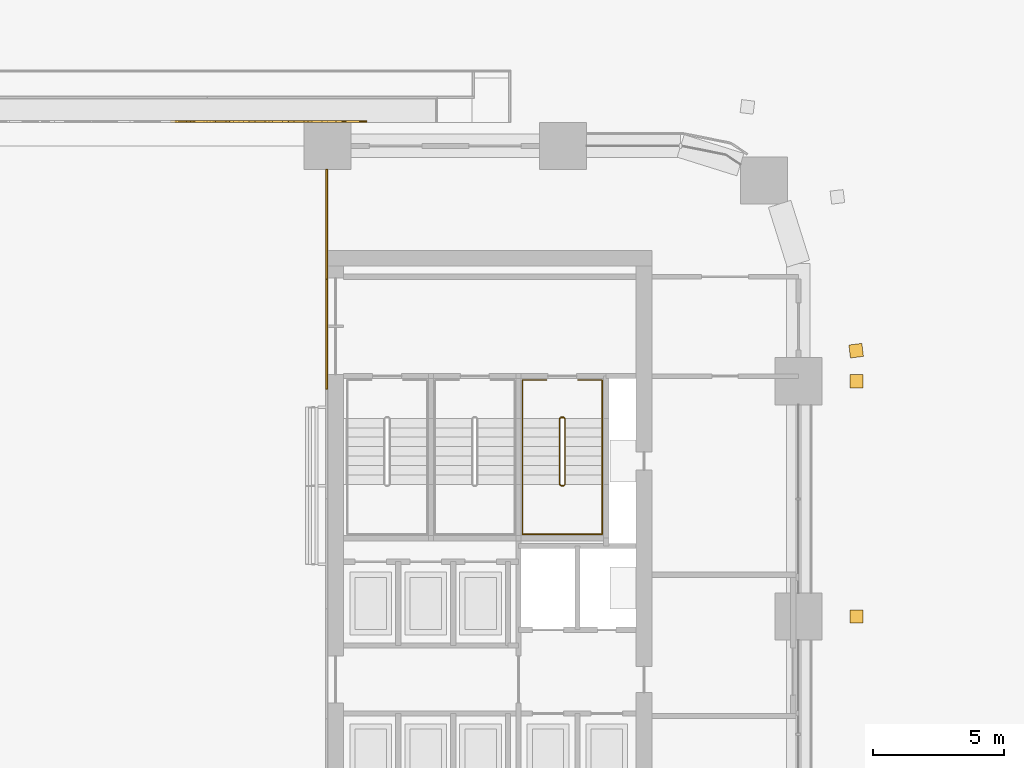
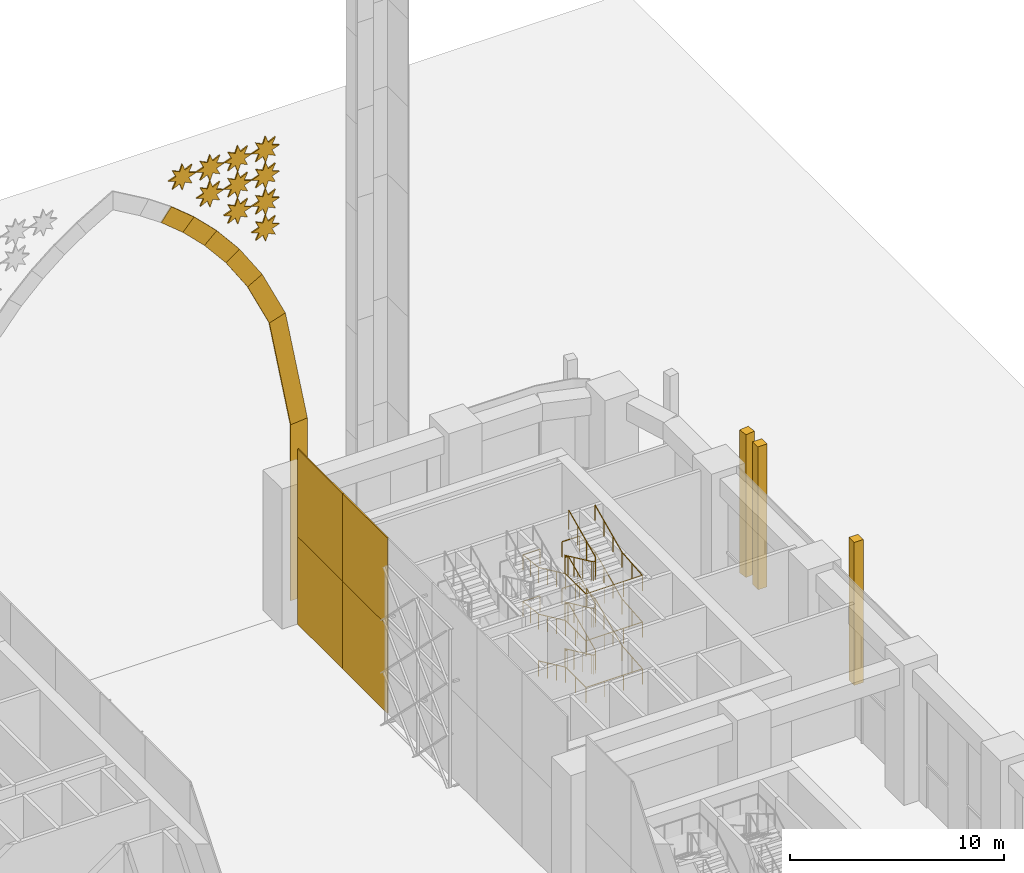
# One storey, part 62 of 64: 24 coverings, 4 railings.
"""IFC4 building model written with IfcOpenShell, lengths in metres."""

from ifc_helpers import new_model, si_unit, direction, frame, origin, origin_2d, place, context, subcontext, project, spatial, polyline, rectangle, circle, outline, extrude, material, layer, layer_set, type_object, element, save


model = new_model("IFC4")

# Units and contexts
model_context = context("Model", 3, precision=1e-05, world=origin(), true_north=direction((0.0, 1.0)))
body_context = subcontext(model_context, "Body", "Model", "MODEL_VIEW")
ifc_project = project(units=[si_unit("LENGTHUNIT", "METRE"), si_unit("AREAUNIT", "SQUARE_METRE"), si_unit("VOLUMEUNIT", "CUBIC_METRE"), si_unit("PLANEANGLEUNIT", "RADIAN"), si_unit("MASSUNIT", "GRAM", prefix="KILO")], contexts=[model_context])

# Site, building, storey
site_placement = place(None, origin())
site = spatial("IfcSite", under=ifc_project, at=site_placement, CompositionType="ELEMENT")
building_placement = place(site_placement, origin())
building = spatial("IfcBuilding", under=site, at=building_placement, Name="Tessera Arch", CompositionType="ELEMENT")
storey_placement = place(building_placement, origin())
storey = spatial("IfcBuildingStorey", under=building, at=storey_placement, Name="L00", CompositionType="ELEMENT", Elevation=0.0)

# Coverings
ifc_material_1 = material(Name="Aluminium cladding pale metal anodised", Category="aluminium")
ifc_layer_1 = layer(ifc_material_1, 0.070068359375)
ifc_layer_set_1 = layer_set([ifc_layer_1], Name="Arch jamb panel")
covering_type_1 = type_object("IfcCoveringType", Name="Arch jamb panel", PredefinedType="CLADDING", material=ifc_layer_set_1)
for number, where, z_axis, x_axis, name in (
    (1, (35.965087890625, 46.800048828125, 0.0), (0.0, 0.0, 1.0), (1.0, 0.0, 0.0), "Arch jamb panel E1-11"),
    (2, (35.965087890625, 51.0, 0.0), (0.0, 0.0, 1.0), (1.0, 0.0, 0.0), "Arch jamb panel E1-12"),
    (3, (35.965087890625, 46.800048828125, 5.0), (0.0, 0.0, 1.0), (1.0, 0.0, 0.0), "Arch jamb panel E2-11"),
    (4, (35.965087890625, 51.0, 5.0), (0.0, 0.0, 1.0), (1.0, 0.0, 0.0), "Arch jamb panel E2-12"),
):
    element("IfcCovering", number, at=place(storey_placement, frame(where, z_axis=z_axis, x_axis=x_axis)), inside=storey, type_object=covering_type_1, Name=name, PredefinedType="CLADDING", context=body_context, shape_type="SweptSolid", body=[
        extrude(rectangle(XDim=0.070068359375, YDim=4.199951171875, at=origin_2d()), origin(), (0.0, 0.0, 1.0), 5.0),
    ])
covering_1_placement = place(storey_placement, frame((29.61279296875, 54.89990234375, 24.041015625), z_axis=(0.0, -1.0, 0.0), x_axis=(0.77114114952, 0.0, -0.636664218813)))
element("IfcCovering", 5, at=covering_1_placement, inside=storey, type_object=covering_type_1, Name="Arch surround panel N12", PredefinedType="CLADDING", context=body_context, shape_type="SweptSolid", body=[
    extrude(outline(polyline([(0.0, 0.0), (1.5104821245764068, 0.0), (1.5506717175454106, 0.9000223986156166), (-0.037522051313754745, 0.8998151511485551), (0.0, 0.0)])), origin(), (0.0, 0.0, -1.0), 0.070068359375),
])
covering_2_placement = place(storey_placement, frame((30.777587890625, 54.89990234375, 23.079345703125), z_axis=(0.0, -1.0, 0.0), x_axis=(0.711266998318, 0.0, -0.702921942398)))
element("IfcCovering", 6, at=covering_2_placement, inside=storey, type_object=covering_type_1, Name="Arch surround panel N13", PredefinedType="CLADDING", context=body_context, shape_type="SweptSolid", body=[
    extrude(outline(polyline([(0.0, 0.0), (1.6383203577295518, 0.0), (1.6826462637559374, 0.8998651311342891), (-0.040265069445096, 0.9000190251185827), (0.0, 0.0)])), origin(), (0.0, 0.0, -1.0), 0.070068359375),
])
covering_3_placement = place(storey_placement, frame((31.94287109375, 54.89990234375, 21.927734375), z_axis=(0.0, -1.0, 0.0), x_axis=(0.638709039089, 0.0, -0.769448350044)))
element("IfcCovering", 7, at=covering_3_placement, inside=storey, type_object=covering_type_1, Name="Arch surround panel N14", PredefinedType="CLADDING", context=body_context, shape_type="SweptSolid", body=[
    extrude(outline(polyline([(0.0, 0.0), (1.8244351211735683, 0.0), (1.8750669592370113, 0.90001428029348), (-0.0443641598360755, 0.8998632459982077), (0.0, 0.0)])), origin(), (0.0, 0.0, -1.0), 0.070068359375),
])
covering_4_placement = place(storey_placement, frame((33.108154296875, 54.89990234375, 20.52392578125), z_axis=(0.0, -1.0, 0.0), x_axis=(0.548616303772, 0.0, -0.836074249834)))
element("IfcCovering", 8, at=covering_4_placement, inside=storey, type_object=covering_type_1, Name="Arch surround panel N15", PredefinedType="CLADDING", context=body_context, shape_type="SweptSolid", body=[
    extrude(outline(polyline([(0.0, 0.0), (2.125820464333652, 0.0), (2.187578923317762, 0.9000340050895053), (-0.05037626281442842, 0.9000286217130682), (0.0, 0.0)])), origin(), (0.0, 0.0, -1.0), 0.070068359375),
])
covering_5_placement = place(storey_placement, frame((34.2744140625, 54.89990234375, 18.74658203125), z_axis=(0.0, -1.0, 0.0), x_axis=(0.428717371421, 0.0, -0.903438661693)))
element("IfcCovering", 9, at=covering_5_placement, inside=storey, type_object=covering_type_1, Name="Arch surround panel N16", PredefinedType="CLADDING", context=body_context, shape_type="SweptSolid", body=[
    extrude(outline(polyline([(0.0, 0.0), (2.743694586835131, 0.0), (2.8613547614145913, 0.8999863126673906), (-0.062311709711715846, 0.8999958713273912), (0.0, 0.0)])), origin(), (0.0, 0.0, -1.0), 0.070068359375),
])
covering_6_placement = place(storey_placement, frame((35.45068359375, 54.89990234375, 16.267822265625), z_axis=(0.0, -1.0, 0.0), x_axis=(0.18191768298, 0.0, -0.983313763058)))
element("IfcCovering", 10, at=covering_6_placement, inside=storey, type_object=covering_type_1, Name="Arch surround panel N17", PredefinedType="CLADDING", context=body_context, shape_type="SweptSolid", body=[
    extrude(outline(polyline([(0.0, 0.0), (6.318319602970845, 0.0), (6.4006450946182785, 0.8999425354398936), (-0.11778598974629848, 0.8999698552119401), (0.0, 0.0)])), origin(), (0.0, 0.0, -1.0), 0.070068359375),
])
covering_7_placement = place(storey_placement, frame((36.60009765625, 54.89990234375, 10.054931640625), z_axis=(0.0, -1.0, 0.0), x_axis=(0.0, 0.0, -1.0)))
element("IfcCovering", 11, at=covering_7_placement, inside=storey, type_object=covering_type_1, Name="Arch surround panel N18", PredefinedType="CLADDING", context=body_context, shape_type="SweptSolid", body=[
    extrude(outline(polyline([(0.0, 0.0), (10.054931640625, 0.0), (10.054931640625, 0.89990234375), (-0.082763671875, 0.89990234375), (0.0, 0.0)])), origin(), (0.0, 0.0, -1.0), 0.070068359375),
])
for number, where, z_axis, x_axis, name in (
    (12, (36.0, 54.89990234375, 21.75), (0.0, -1.0, 0.0), (-0.942166703865, 0.0, 0.335144598834), "Gate lattice star N2"),
    (13, (34.5, 54.89990234375, 23.25), (0.0, -1.0, 0.0), (-0.942166703865, 0.0, 0.335144598834), "Gate lattice star N5"),
    (14, (36.0, 54.89990234375, 23.25), (0.0, -1.0, 0.0), (-0.942166703865, 0.0, 0.335144598834), "Gate lattice star N6"),
    (15, (33.0, 54.89990234375, 24.75), (0.0, -1.0, 0.0), (-0.942166703865, 0.0, 0.335144598834), "Gate lattice star N10"),
    (16, (34.5, 54.89990234375, 24.75), (0.0, -1.0, 0.0), (-0.942166703865, 0.0, 0.335144598834), "Gate lattice star N11"),
    (17, (36.0, 54.89990234375, 24.75), (0.0, -1.0, 0.0), (-0.942166703865, 0.0, 0.335144598834), "Gate lattice star N12"),
    (18, (31.5, 54.89990234375, 26.25), (0.0, -1.0, 0.0), (-0.942166703865, 0.0, 0.335144598834), "Gate lattice star N17"),
    (19, (33.0, 54.89990234375, 26.25), (0.0, -1.0, 0.0), (-0.942166703865, 0.0, 0.335144598834), "Gate lattice star N18"),
    (20, (34.5, 54.89990234375, 26.25), (0.0, -1.0, 0.0), (-0.942166703865, 0.0, 0.335144598834), "Gate lattice star N19"),
    (21, (36.0, 54.89990234375, 26.25), (0.0, -1.0, 0.0), (-0.942166703865, 0.0, 0.335144598834), "Gate lattice star N20"),
):
    element("IfcCovering", number, at=place(storey_placement, frame(where, z_axis=z_axis, x_axis=x_axis)), inside=storey, type_object=covering_type_1, Name=name, PredefinedType="CLADDING", context=body_context, shape_type="SweptSolid", body=[
        extrude(outline(polyline([(0.0, 0.0), (0.42833656875090986, 0.0), (0.3847373296255874, -0.42596580611441676), (0.6874785835319573, -0.12315316632834256), (0.9579834770245221, -0.45526657877336735), (0.9579834770245222, -0.02693001002245743), (1.383949283138939, -0.07052924914777992), (1.0811366433528649, 0.2322120047585901), (1.4132500557978895, 0.5027168982511548), (0.9849134870469797, 0.502716898251155), (1.0285127261723022, 0.9286827043655717), (0.7257714722659322, 0.6258700645794975), (0.45526657877336735, 0.9579834770245221), (0.4552665787733673, 0.5296469082736124), (0.029300772658950563, 0.5732461473989348), (0.3321134124450248, 0.2705048934925648), (0.0, 0.0)])), origin(), (0.0, 0.0, -1.0), 0.070068359375),
    ])
ifc_material_2 = material(Name="Anodised aluminium pale metal", Category="aluminium")
ifc_layer_2 = layer(ifc_material_2, 0.5)
ifc_layer_set_2 = layer_set([ifc_layer_2], Name="Base plinth pier pale metal")
covering_type_2 = type_object("IfcCoveringType", Name="Base plinth pier pale metal", PredefinedType="CLADDING", material=ifc_layer_set_2)
for number, where, z_axis, x_axis, name in (
    (22, (56.22509765625, 36.0, 0.0), (0.0, 0.0, 1.0), (0.0, 1.0, 0.0), "Base plinth pier 5"),
    (23, (56.22509765625, 45.0, 0.0), (0.0, 0.0, 1.0), (0.0, 1.0, 0.0), "Base plinth pier 6"),
    (24, (56.208740234375, 46.169189453125, 0.0), (0.0, 0.0, 1.0), (-0.120951161885, 0.992658459108, 0.0), "Base plinth pier 7"),
):
    element("IfcCovering", number, at=place(storey_placement, frame(where, z_axis=z_axis, x_axis=x_axis)), inside=storey, type_object=covering_type_2, Name=name, PredefinedType="CLADDING", context=body_context, shape_type="SweptSolid", body=[
        extrude(rectangle(XDim=0.5, YDim=0.5, at=origin_2d()), origin(), (0.0, 0.0, 1.0), 8.159912109375),
    ])

# Railings
ifc_material_3 = material(Name="Painted steel balustrade", Category="steel")
railing_type_1 = type_object("IfcRailingType", Name="Stair guard 1100", PredefinedType="GUARDRAIL", material=ifc_material_3)
railing_1_placement = place(storey_placement, frame((44.919921875, 43.6298828125, 0.0)))
element("IfcRailing", 25, at=railing_1_placement, inside=storey, type_object=railing_type_1, Name="L00 S1c stair guard 1", PredefinedType="GUARDRAIL", context=body_context, shape_type="SweptSolid", body=[
    extrude(circle(Radius=0.02392578125, at=origin_2d()), frame((-0.00390625, 0.0, 1.076171875), z_axis=(1.0, 0.0, 0.0), x_axis=(0.0, 1.0, 0.0)), (0.0, 0.0, 1.0), 0.1181640625),
    extrude(circle(Radius=0.02392578125, at=origin_2d()), frame((0.11279296875, 0.000732421875, 1.0732421875), z_axis=(-0.676614622933, -0.210731882562, 0.705538606814), x_axis=(0.297361876254, -0.954764847777, 0.0)), (0.0, 0.0, 1.0), 0.244384765625),
    extrude(circle(Radius=0.02392578125, at=origin_2d()), frame((-0.0498046875, -0.046142578125, 1.2412109375), z_axis=(0.0, -0.907490492863, 0.420072619153), x_axis=(1.0, 0.0, 0.0)), (0.0, 0.0, 1.0), 2.784912109375),
    extrude(circle(Radius=0.02392578125, at=origin_2d()), frame((-0.052734375, -2.56689453125, 2.4091796875), z_axis=(0.705375805398, -0.708833529934, 0.0), x_axis=(0.708833529934, 0.705375805398, 0.0)), (0.0, 0.0, 1.0), 0.07861328125),
    extrude(circle(Radius=0.02392578125, at=origin_2d()), frame((-0.00390625, -2.619873046875, 2.4091796875), z_axis=(1.0, 0.0, 0.0), x_axis=(0.0, 1.0, 0.0)), (0.0, 0.0, 1.0), 0.1181640625),
    extrude(circle(Radius=0.02392578125, at=origin_2d()), frame((0.10888671875, -2.62109375, 2.405517578125), z_axis=(0.27628659633, 0.27628659633, 0.920506074601), x_axis=(-0.707106781187, 0.707106781187, 0.0)), (0.0, 0.0, 1.0), 0.189208984375),
    extrude(circle(Radius=0.02392578125, at=origin_2d()), frame((0.16015625, -2.573486328125, 2.574462890625), z_axis=(0.0, 0.907456975791, 0.420145019115), x_axis=(-1.0, 0.0, 0.0)), (0.0, 0.0, 1.0), 2.784912109375),
    extrude(circle(Radius=0.02392578125, at=origin_2d()), frame((0.1640625, -0.051025390625, 3.74267578125), z_axis=(-0.954893471113, 0.296948579431, 0.0), x_axis=(-0.296948579431, -0.954893471113, 0.0)), (0.0, 0.0, 1.0), 0.17578125),
    extrude(circle(Radius=0.02392578125, at=origin_2d()), frame((-0.00390625, 0.0, 3.74267578125), z_axis=(1.0, 0.0, 0.0), x_axis=(0.0, 1.0, 0.0)), (0.0, 0.0, 1.0), 0.1181640625),
    extrude(circle(Radius=0.02392578125, at=origin_2d()), frame((0.11279296875, 0.000732421875, 3.739990234375), z_axis=(-0.67710793183, -0.210885523807, 0.705019251157), x_axis=(0.297361876254, -0.954764847777, 0.0)), (0.0, 0.0, 1.0), 0.244140625),
    extrude(circle(Radius=0.02392578125, at=origin_2d()), frame((-0.0498046875, -0.046142578125, 3.90771484375), z_axis=(0.0, -0.907456975791, 0.420145019115), x_axis=(1.0, 0.0, 0.0)), (0.0, 0.0, 1.0), 2.784912109375),
    extrude(circle(Radius=0.02392578125, at=origin_2d()), frame((-0.052734375, -2.56689453125, 5.076171875), z_axis=(0.705375805398, -0.708833529934, 0.0), x_axis=(0.708833529934, 0.705375805398, 0.0)), (0.0, 0.0, 1.0), 0.07861328125),
    extrude(circle(Radius=0.02392578125, at=origin_2d()), frame((-0.00390625, -2.619873046875, 5.076171875), z_axis=(1.0, 0.0, 0.0), x_axis=(0.0, 1.0, 0.0)), (0.0, 0.0, 1.0), 0.1181640625),
    extrude(circle(Radius=0.02392578125, at=origin_2d()), frame((0.10888671875, -2.62109375, 5.072265625), z_axis=(0.27628659633, 0.27628659633, 0.920506074601), x_axis=(-0.707106781187, 0.707106781187, 0.0)), (0.0, 0.0, 1.0), 0.189208984375),
    extrude(circle(Radius=0.02392578125, at=origin_2d()), frame((0.16015625, -2.573486328125, 5.2412109375), z_axis=(0.0, 0.907490492863, 0.420072619153), x_axis=(-1.0, 0.0, 0.0)), (0.0, 0.0, 1.0), 2.784912109375),
    extrude(circle(Radius=0.02392578125, at=origin_2d()), frame((0.1640625, -0.051025390625, 6.4091796875), z_axis=(-0.954893471113, 0.296948579431, 0.0), x_axis=(-0.296948579431, -0.954893471113, 0.0)), (0.0, 0.0, 1.0), 0.17578125),
    extrude(circle(Radius=0.02392578125, at=origin_2d()), frame((-0.00390625, 0.0, 6.4091796875), z_axis=(1.0, 0.0, 0.0), x_axis=(0.0, 1.0, 0.0)), (0.0, 0.0, 1.0), 0.1181640625),
    extrude(circle(Radius=0.02392578125, at=origin_2d()), frame((0.11279296875, 0.000732421875, 6.406494140625), z_axis=(-0.676614622933, -0.210731882562, 0.705538606814), x_axis=(0.297361876254, -0.954764847777, 0.0)), (0.0, 0.0, 1.0), 0.244384765625),
    extrude(circle(Radius=0.02392578125, at=origin_2d()), frame((-0.0498046875, -0.046142578125, 6.574462890625), z_axis=(0.0, -0.907456975791, 0.420145019115), x_axis=(1.0, 0.0, 0.0)), (0.0, 0.0, 1.0), 2.784912109375),
    extrude(circle(Radius=0.02392578125, at=origin_2d()), frame((-0.052734375, -2.56689453125, 7.74267578125), z_axis=(0.705375805398, -0.708833529934, 0.0), x_axis=(0.708833529934, 0.705375805398, 0.0)), (0.0, 0.0, 1.0), 0.07861328125),
    extrude(circle(Radius=0.02392578125, at=origin_2d()), frame((-0.00390625, -2.619873046875, 7.74267578125), z_axis=(1.0, 0.0, 0.0), x_axis=(0.0, 1.0, 0.0)), (0.0, 0.0, 1.0), 0.1181640625),
    extrude(circle(Radius=0.02392578125, at=origin_2d()), frame((0.10888671875, -2.62109375, 7.739013671875), z_axis=(0.27662974545, 0.27662974545, 0.920299933644), x_axis=(-0.707106781187, 0.707106781187, 0.0)), (0.0, 0.0, 1.0), 0.18896484375),
    extrude(circle(Radius=0.02392578125, at=origin_2d()), frame((0.16015625, -2.573486328125, 7.90771484375), z_axis=(0.0, 0.907456975791, 0.420145019115), x_axis=(-1.0, 0.0, 0.0)), (0.0, 0.0, 1.0), 2.784912109375),
    extrude(circle(Radius=0.02099609375, at=origin_2d()), origin(), (0.0, 0.0, 1.0), 1.06396484375),
    extrude(circle(Radius=0.02099609375, at=origin_2d()), frame((0.110107421875, 0.0, 0.0)), (0.0, 0.0, 1.0), 1.06396484375),
    extrude(circle(Radius=0.02099609375, at=origin_2d()), frame((-0.0498046875, -0.0498046875, 0.166748046875)), (0.0, 0.0, 1.0), 1.06396484375),
    extrude(circle(Radius=0.02099609375, at=origin_2d()), frame((-0.0498046875, -0.889892578125, 0.5556640625)), (0.0, 0.0, 1.0), 1.06396484375),
    extrude(circle(Radius=0.02099609375, at=origin_2d()), frame((-0.0498046875, -1.729736328125, 0.9443359375)), (0.0, 0.0, 1.0), 1.06396484375),
    extrude(circle(Radius=0.02099609375, at=origin_2d()), frame((-0.0498046875, -2.56982421875, 1.333251953125)), (0.0, 0.0, 1.0), 1.06396484375),
    extrude(circle(Radius=0.02099609375, at=origin_2d()), frame((0.0, -2.619873046875, 1.333251953125)), (0.0, 0.0, 1.0), 1.06396484375),
    extrude(circle(Radius=0.02099609375, at=origin_2d()), frame((0.110107421875, -2.619873046875, 1.333251953125)), (0.0, 0.0, 1.0), 1.06396484375),
    extrude(circle(Radius=0.02099609375, at=origin_2d()), frame((0.16015625, -2.56982421875, 1.5)), (0.0, 0.0, 1.0), 1.06396484375),
    extrude(circle(Radius=0.02099609375, at=origin_2d()), frame((0.16015625, -1.729736328125, 1.888916015625)), (0.0, 0.0, 1.0), 1.06396484375),
    extrude(circle(Radius=0.02099609375, at=origin_2d()), frame((0.16015625, -0.889892578125, 2.27783203125)), (0.0, 0.0, 1.0), 1.06396484375),
    extrude(circle(Radius=0.02099609375, at=origin_2d()), frame((0.16015625, -0.0498046875, 2.666748046875)), (0.0, 0.0, 1.0), 1.06396484375),
    extrude(circle(Radius=0.02099609375, at=origin_2d()), frame((0.0, 0.0, 2.666748046875)), (0.0, 0.0, 1.0), 1.06396484375),
    extrude(circle(Radius=0.02099609375, at=origin_2d()), frame((0.110107421875, 0.0, 2.666748046875)), (0.0, 0.0, 1.0), 1.06396484375),
    extrude(circle(Radius=0.02099609375, at=origin_2d()), frame((-0.0498046875, -0.0498046875, 2.833251953125)), (0.0, 0.0, 1.0), 1.06396484375),
    extrude(circle(Radius=0.02099609375, at=origin_2d()), frame((-0.0498046875, -0.889892578125, 3.22216796875)), (0.0, 0.0, 1.0), 1.06396484375),
    extrude(circle(Radius=0.02099609375, at=origin_2d()), frame((-0.0498046875, -1.729736328125, 3.611083984375)), (0.0, 0.0, 1.0), 1.06396484375),
    extrude(circle(Radius=0.02099609375, at=origin_2d()), frame((-0.0498046875, -2.56982421875, 4.0)), (0.0, 0.0, 1.0), 1.06396484375),
    extrude(circle(Radius=0.02099609375, at=origin_2d()), frame((0.0, -2.619873046875, 4.0)), (0.0, 0.0, 1.0), 1.06396484375),
    extrude(circle(Radius=0.02099609375, at=origin_2d()), frame((0.110107421875, -2.619873046875, 4.0)), (0.0, 0.0, 1.0), 1.06396484375),
    extrude(circle(Radius=0.02099609375, at=origin_2d()), frame((0.16015625, -2.56982421875, 4.166748046875)), (0.0, 0.0, 1.0), 1.06396484375),
    extrude(circle(Radius=0.02099609375, at=origin_2d()), frame((0.16015625, -1.729736328125, 4.5556640625)), (0.0, 0.0, 1.0), 1.06396484375),
    extrude(circle(Radius=0.02099609375, at=origin_2d()), frame((0.16015625, -0.889892578125, 4.9443359375)), (0.0, 0.0, 1.0), 1.06396484375),
    extrude(circle(Radius=0.02099609375, at=origin_2d()), frame((0.16015625, -0.0498046875, 5.333251953125)), (0.0, 0.0, 1.0), 1.06396484375),
    extrude(circle(Radius=0.02099609375, at=origin_2d()), frame((0.0, 0.0, 5.333251953125)), (0.0, 0.0, 1.0), 1.06396484375),
    extrude(circle(Radius=0.02099609375, at=origin_2d()), frame((0.110107421875, 0.0, 5.333251953125)), (0.0, 0.0, 1.0), 1.06396484375),
    extrude(circle(Radius=0.02099609375, at=origin_2d()), frame((-0.0498046875, -0.0498046875, 5.5)), (0.0, 0.0, 1.0), 1.06396484375),
    extrude(circle(Radius=0.02099609375, at=origin_2d()), frame((-0.0498046875, -0.889892578125, 5.888916015625)), (0.0, 0.0, 1.0), 1.06396484375),
    extrude(circle(Radius=0.02099609375, at=origin_2d()), frame((-0.0498046875, -1.729736328125, 6.27783203125)), (0.0, 0.0, 1.0), 1.06396484375),
    extrude(circle(Radius=0.02099609375, at=origin_2d()), frame((-0.0498046875, -2.56982421875, 6.666748046875)), (0.0, 0.0, 1.0), 1.06396484375),
    extrude(circle(Radius=0.02099609375, at=origin_2d()), frame((0.0, -2.619873046875, 6.666748046875)), (0.0, 0.0, 1.0), 1.06396484375),
    extrude(circle(Radius=0.02099609375, at=origin_2d()), frame((0.110107421875, -2.619873046875, 6.666748046875)), (0.0, 0.0, 1.0), 1.06396484375),
    extrude(circle(Radius=0.02099609375, at=origin_2d()), frame((0.16015625, -2.56982421875, 6.833251953125)), (0.0, 0.0, 1.0), 1.06396484375),
    extrude(circle(Radius=0.02099609375, at=origin_2d()), frame((0.16015625, -1.729736328125, 7.22216796875)), (0.0, 0.0, 1.0), 1.06396484375),
    extrude(circle(Radius=0.02099609375, at=origin_2d()), frame((0.16015625, -0.889892578125, 7.611083984375)), (0.0, 0.0, 1.0), 1.06396484375),
    extrude(circle(Radius=0.02099609375, at=origin_2d()), frame((0.16015625, -0.0498046875, 8.0)), (0.0, 0.0, 1.0), 1.06396484375),
])
ifc_material_4 = material(Name="Painted steel handrail", Category="steel")
railing_type_2 = type_object("IfcRailingType", Name="Stair handrail 900", PredefinedType="HANDRAIL", material=ifc_material_4)
railing_2_placement = place(storey_placement, frame((43.449951171875, 43.580078125, 0.166748046875)))
element("IfcRailing", 26, at=railing_2_placement, inside=storey, type_object=railing_type_2, Name="L00 S1c stair handrail", PredefinedType="HANDRAIL", context=body_context, shape_type="SweptSolid", body=[
    extrude(circle(Radius=0.02392578125, at=origin_2d()), frame((0.0, 0.003662109375, 0.874267578125), z_axis=(0.0, -0.907490492863, 0.420072619153), x_axis=(1.0, 0.0, 0.0)), (0.0, 0.0, 1.0), 2.784912109375),
    extrude(circle(Radius=0.02392578125, at=origin_2d()), frame((0.0, -2.51611328125, 2.04248046875), z_axis=(0.0, -1.0, 0.0), x_axis=(1.0, 0.0, 0.0)), (0.0, 0.0, 1.0), 1.918212890625),
    extrude(circle(Radius=0.02392578125, at=origin_2d()), frame((-0.00390625, -4.43017578125, 2.04248046875), z_axis=(1.0, 0.0, 0.0), x_axis=(0.0, 1.0, 0.0)), (0.0, 0.0, 1.0), 3.05810546875),
    extrude(circle(Radius=0.02392578125, at=origin_2d()), frame((3.050048828125, -4.43408203125, 2.0419921875), z_axis=(0.0, 0.996211387406, 0.086964772188), x_axis=(-1.0, 0.0, 0.0)), (0.0, 0.0, 1.0), 1.925537109375),
    extrude(circle(Radius=0.02392578125, at=origin_2d()), frame((3.050048828125, -2.523681640625, 2.20751953125), z_axis=(0.0, 0.907456975791, 0.420145019115), x_axis=(-1.0, 0.0, 0.0)), (0.0, 0.0, 1.0), 2.784912109375),
    extrude(circle(Radius=0.02392578125, at=origin_2d()), frame((3.050048828125, -0.00390625, 3.3759765625), z_axis=(0.0, 1.0, 0.0), x_axis=(-1.0, 0.0, 0.0)), (0.0, 0.0, 1.0), 1.47802734375),
    extrude(circle(Radius=0.02392578125, at=origin_2d()), frame((3.053955078125, 1.469970703125, 3.3759765625), z_axis=(-1.0, 0.0, 0.0), x_axis=(0.0, -1.0, 0.0)), (0.0, 0.0, 1.0), 0.93310546875),
    extrude(circle(Radius=0.02099609375, at=origin_2d()), origin(), (0.0, 0.0, 1.0), 0.86376953125),
    extrude(circle(Radius=0.02099609375, at=origin_2d()), frame((0.0, -0.840087890625, 0.388916015625)), (0.0, 0.0, 1.0), 0.86376953125),
    extrude(circle(Radius=0.02099609375, at=origin_2d()), frame((0.0, -1.679931640625, 0.777587890625)), (0.0, 0.0, 1.0), 0.86376953125),
    extrude(circle(Radius=0.02099609375, at=origin_2d()), frame((0.0, -2.52001953125, 1.16650390625)), (0.0, 0.0, 1.0), 0.86376953125),
    extrude(circle(Radius=0.02099609375, at=origin_2d()), frame((0.0, -3.47509765625, 1.16650390625)), (0.0, 0.0, 1.0), 0.86376953125),
    extrude(circle(Radius=0.02099609375, at=origin_2d()), frame((0.0, -4.43017578125, 1.16650390625)), (0.0, 0.0, 1.0), 0.86376953125),
    extrude(circle(Radius=0.02099609375, at=origin_2d()), frame((1.0166015625, -4.43017578125, 1.16650390625)), (0.0, 0.0, 1.0), 0.86376953125),
    extrude(circle(Radius=0.02099609375, at=origin_2d()), frame((2.033447265625, -4.43017578125, 1.16650390625)), (0.0, 0.0, 1.0), 0.86376953125),
    extrude(circle(Radius=0.02099609375, at=origin_2d()), frame((3.050048828125, -4.43017578125, 1.16650390625)), (0.0, 0.0, 1.0), 0.86376953125),
    extrude(circle(Radius=0.02099609375, at=origin_2d()), frame((3.050048828125, -3.47509765625, 1.25)), (0.0, 0.0, 1.0), 0.86376953125),
    extrude(circle(Radius=0.02099609375, at=origin_2d()), frame((3.050048828125, -2.52001953125, 1.333251953125)), (0.0, 0.0, 1.0), 0.86376953125),
    extrude(circle(Radius=0.02099609375, at=origin_2d()), frame((3.050048828125, -1.679931640625, 1.72216796875)), (0.0, 0.0, 1.0), 0.86376953125),
    extrude(circle(Radius=0.02099609375, at=origin_2d()), frame((3.050048828125, -0.840087890625, 2.111083984375)), (0.0, 0.0, 1.0), 0.86376953125),
    extrude(circle(Radius=0.02099609375, at=origin_2d()), frame((3.050048828125, 0.0, 2.5)), (0.0, 0.0, 1.0), 0.86376953125),
    extrude(circle(Radius=0.02099609375, at=origin_2d()), frame((3.050048828125, 0.73486328125, 2.5)), (0.0, 0.0, 1.0), 0.86376953125),
    extrude(circle(Radius=0.02099609375, at=origin_2d()), frame((3.050048828125, 1.469970703125, 2.5)), (0.0, 0.0, 1.0), 0.86376953125),
    extrude(circle(Radius=0.02099609375, at=origin_2d()), frame((2.125, 1.469970703125, 2.5)), (0.0, 0.0, 1.0), 0.86376953125),
])
railing_3_placement = place(storey_placement, frame((44.375, 45.050048828125, 2.666748046875)))
element("IfcRailing", 27, at=railing_3_placement, inside=storey, type_object=railing_type_2, Name="L00 S1c stair handrail 2", PredefinedType="HANDRAIL", context=body_context, shape_type="SweptSolid", body=[
    extrude(circle(Radius=0.02392578125, at=origin_2d()), frame((0.00390625, 0.0, 0.8759765625), z_axis=(-1.0, 0.0, 0.0), x_axis=(0.0, -1.0, 0.0)), (0.0, 0.0, 1.0), 0.93310546875),
    extrude(circle(Radius=0.02392578125, at=origin_2d()), frame((-0.925048828125, 0.00390625, 0.87548828125), z_axis=(0.0, -0.993646005566, 0.11255050254), x_axis=(1.0, 0.0, 0.0)), (0.0, 0.0, 1.0), 1.4873046875),
    extrude(circle(Radius=0.02392578125, at=origin_2d()), frame((-0.925048828125, -1.46630859375, 1.040771484375), z_axis=(0.0, -0.907456975791, 0.420145019115), x_axis=(1.0, 0.0, 0.0)), (0.0, 0.0, 1.0), 2.784912109375),
    extrude(circle(Radius=0.02392578125, at=origin_2d()), frame((-0.925048828125, -3.986083984375, 2.208984375), z_axis=(0.0, -1.0, 0.0), x_axis=(1.0, 0.0, 0.0)), (0.0, 0.0, 1.0), 1.918212890625),
    extrude(circle(Radius=0.02392578125, at=origin_2d()), frame((-0.928955078125, -5.900146484375, 2.208984375), z_axis=(1.0, 0.0, 0.0), x_axis=(0.0, 1.0, 0.0)), (0.0, 0.0, 1.0), 3.05810546875),
    extrude(circle(Radius=0.02392578125, at=origin_2d()), frame((2.125, -5.904052734375, 2.208740234375), z_axis=(0.0, 0.996211387406, 0.086964772188), x_axis=(-1.0, 0.0, 0.0)), (0.0, 0.0, 1.0), 1.925537109375),
    extrude(circle(Radius=0.02392578125, at=origin_2d()), frame((2.125, -3.99365234375, 2.374267578125), z_axis=(0.0, 0.907490492863, 0.420072619153), x_axis=(-1.0, 0.0, 0.0)), (0.0, 0.0, 1.0), 2.784912109375),
    extrude(circle(Radius=0.02392578125, at=origin_2d()), frame((2.125, -1.473876953125, 3.54248046875), z_axis=(0.0, 1.0, 0.0), x_axis=(-1.0, 0.0, 0.0)), (0.0, 0.0, 1.0), 1.47802734375),
    extrude(circle(Radius=0.02392578125, at=origin_2d()), frame((2.12890625, 0.0, 3.54248046875), z_axis=(-1.0, 0.0, 0.0), x_axis=(0.0, -1.0, 0.0)), (0.0, 0.0, 1.0), 0.93310546875),
    extrude(circle(Radius=0.02099609375, at=origin_2d()), origin(), (0.0, 0.0, 1.0), 0.86376953125),
    extrude(circle(Radius=0.02099609375, at=origin_2d()), frame((-0.925048828125, 0.0, 0.0)), (0.0, 0.0, 1.0), 0.86376953125),
    extrude(circle(Radius=0.02099609375, at=origin_2d()), frame((-0.925048828125, -0.73486328125, 0.083251953125)), (0.0, 0.0, 1.0), 0.86376953125),
    extrude(circle(Radius=0.02099609375, at=origin_2d()), frame((-0.925048828125, -1.469970703125, 0.16650390625)), (0.0, 0.0, 1.0), 0.86376953125),
    extrude(circle(Radius=0.02099609375, at=origin_2d()), frame((-0.925048828125, -2.31005859375, 0.555419921875)), (0.0, 0.0, 1.0), 0.86376953125),
    extrude(circle(Radius=0.02099609375, at=origin_2d()), frame((-0.925048828125, -3.14990234375, 0.9443359375)), (0.0, 0.0, 1.0), 0.86376953125),
    extrude(circle(Radius=0.02099609375, at=origin_2d()), frame((-0.925048828125, -3.989990234375, 1.333251953125)), (0.0, 0.0, 1.0), 0.86376953125),
    extrude(circle(Radius=0.02099609375, at=origin_2d()), frame((-0.925048828125, -4.945068359375, 1.333251953125)), (0.0, 0.0, 1.0), 0.86376953125),
    extrude(circle(Radius=0.02099609375, at=origin_2d()), frame((-0.925048828125, -5.900146484375, 1.333251953125)), (0.0, 0.0, 1.0), 0.86376953125),
    extrude(circle(Radius=0.02099609375, at=origin_2d()), frame((0.091552734375, -5.900146484375, 1.333251953125)), (0.0, 0.0, 1.0), 0.86376953125),
    extrude(circle(Radius=0.02099609375, at=origin_2d()), frame((1.1083984375, -5.900146484375, 1.333251953125)), (0.0, 0.0, 1.0), 0.86376953125),
    extrude(circle(Radius=0.02099609375, at=origin_2d()), frame((2.125, -5.900146484375, 1.333251953125)), (0.0, 0.0, 1.0), 0.86376953125),
    extrude(circle(Radius=0.02099609375, at=origin_2d()), frame((2.125, -4.945068359375, 1.41650390625)), (0.0, 0.0, 1.0), 0.86376953125),
    extrude(circle(Radius=0.02099609375, at=origin_2d()), frame((2.125, -3.989990234375, 1.5)), (0.0, 0.0, 1.0), 0.86376953125),
    extrude(circle(Radius=0.02099609375, at=origin_2d()), frame((2.125, -3.14990234375, 1.888916015625)), (0.0, 0.0, 1.0), 0.86376953125),
    extrude(circle(Radius=0.02099609375, at=origin_2d()), frame((2.125, -2.31005859375, 2.277587890625)), (0.0, 0.0, 1.0), 0.86376953125),
    extrude(circle(Radius=0.02099609375, at=origin_2d()), frame((2.125, -1.469970703125, 2.66650390625)), (0.0, 0.0, 1.0), 0.86376953125),
    extrude(circle(Radius=0.02099609375, at=origin_2d()), frame((2.125, -0.73486328125, 2.66650390625)), (0.0, 0.0, 1.0), 0.86376953125),
    extrude(circle(Radius=0.02099609375, at=origin_2d()), frame((2.125, 0.0, 2.66650390625)), (0.0, 0.0, 1.0), 0.86376953125),
    extrude(circle(Radius=0.02099609375, at=origin_2d()), frame((1.199951171875, 0.0, 2.66650390625)), (0.0, 0.0, 1.0), 0.86376953125),
])
railing_4_placement = place(storey_placement, frame((44.375, 45.050048828125, 5.333251953125)))
element("IfcRailing", 28, at=railing_4_placement, inside=storey, type_object=railing_type_2, Name="L00 S1c stair handrail 3", PredefinedType="HANDRAIL", context=body_context, shape_type="SweptSolid", body=[
    extrude(circle(Radius=0.02392578125, at=origin_2d()), frame((0.00390625, 0.0, 0.8759765625), z_axis=(-1.0, 0.0, 0.0), x_axis=(0.0, -1.0, 0.0)), (0.0, 0.0, 1.0), 0.93310546875),
    extrude(circle(Radius=0.02392578125, at=origin_2d()), frame((-0.925048828125, 0.00390625, 0.87548828125), z_axis=(0.0, -0.993627536354, 0.112713437524), x_axis=(1.0, 0.0, 0.0)), (0.0, 0.0, 1.0), 1.4873046875),
    extrude(circle(Radius=0.02392578125, at=origin_2d()), frame((-0.925048828125, -1.46630859375, 1.041015625), z_axis=(0.0, -0.907456975791, 0.420145019115), x_axis=(1.0, 0.0, 0.0)), (0.0, 0.0, 1.0), 2.784912109375),
    extrude(circle(Radius=0.02392578125, at=origin_2d()), frame((-0.925048828125, -3.986083984375, 2.20947265625), z_axis=(0.0, -1.0, 0.0), x_axis=(1.0, 0.0, 0.0)), (0.0, 0.0, 1.0), 1.918212890625),
    extrude(circle(Radius=0.02392578125, at=origin_2d()), frame((-0.928955078125, -5.900146484375, 2.20947265625), z_axis=(1.0, 0.0, 0.0), x_axis=(0.0, 1.0, 0.0)), (0.0, 0.0, 1.0), 3.05810546875),
    extrude(circle(Radius=0.02392578125, at=origin_2d()), frame((2.125, -5.904052734375, 2.208984375), z_axis=(0.0, 0.996222410581, 0.086838405421), x_axis=(-1.0, 0.0, 0.0)), (0.0, 0.0, 1.0), 1.92529296875),
    extrude(circle(Radius=0.02392578125, at=origin_2d()), frame((2.125, -3.99365234375, 2.374267578125), z_axis=(0.0, 0.907456975791, 0.420145019115), x_axis=(-1.0, 0.0, 0.0)), (0.0, 0.0, 1.0), 2.784912109375),
    extrude(circle(Radius=0.02099609375, at=origin_2d()), origin(), (0.0, 0.0, 1.0), 0.86376953125),
    extrude(circle(Radius=0.02099609375, at=origin_2d()), frame((-0.925048828125, 0.0, 0.0)), (0.0, 0.0, 1.0), 0.86376953125),
    extrude(circle(Radius=0.02099609375, at=origin_2d()), frame((-0.925048828125, -0.73486328125, 0.08349609375)), (0.0, 0.0, 1.0), 0.86376953125),
    extrude(circle(Radius=0.02099609375, at=origin_2d()), frame((-0.925048828125, -1.469970703125, 0.166748046875)), (0.0, 0.0, 1.0), 0.86376953125),
    extrude(circle(Radius=0.02099609375, at=origin_2d()), frame((-0.925048828125, -2.31005859375, 0.5556640625)), (0.0, 0.0, 1.0), 0.86376953125),
    extrude(circle(Radius=0.02099609375, at=origin_2d()), frame((-0.925048828125, -3.14990234375, 0.944580078125)), (0.0, 0.0, 1.0), 0.86376953125),
    extrude(circle(Radius=0.02099609375, at=origin_2d()), frame((-0.925048828125, -3.989990234375, 1.33349609375)), (0.0, 0.0, 1.0), 0.86376953125),
    extrude(circle(Radius=0.02099609375, at=origin_2d()), frame((-0.925048828125, -4.945068359375, 1.33349609375)), (0.0, 0.0, 1.0), 0.86376953125),
    extrude(circle(Radius=0.02099609375, at=origin_2d()), frame((-0.925048828125, -5.900146484375, 1.33349609375)), (0.0, 0.0, 1.0), 0.86376953125),
    extrude(circle(Radius=0.02099609375, at=origin_2d()), frame((0.091552734375, -5.900146484375, 1.33349609375)), (0.0, 0.0, 1.0), 0.86376953125),
    extrude(circle(Radius=0.02099609375, at=origin_2d()), frame((1.1083984375, -5.900146484375, 1.33349609375)), (0.0, 0.0, 1.0), 0.86376953125),
    extrude(circle(Radius=0.02099609375, at=origin_2d()), frame((2.125, -5.900146484375, 1.33349609375)), (0.0, 0.0, 1.0), 0.86376953125),
    extrude(circle(Radius=0.02099609375, at=origin_2d()), frame((2.125, -4.945068359375, 1.416748046875)), (0.0, 0.0, 1.0), 0.86376953125),
    extrude(circle(Radius=0.02099609375, at=origin_2d()), frame((2.125, -3.989990234375, 1.5)), (0.0, 0.0, 1.0), 0.86376953125),
    extrude(circle(Radius=0.02099609375, at=origin_2d()), frame((2.125, -3.14990234375, 1.888916015625)), (0.0, 0.0, 1.0), 0.86376953125),
    extrude(circle(Radius=0.02099609375, at=origin_2d()), frame((2.125, -2.31005859375, 2.27783203125)), (0.0, 0.0, 1.0), 0.86376953125),
    extrude(circle(Radius=0.02099609375, at=origin_2d()), frame((2.125, -1.469970703125, 2.666748046875)), (0.0, 0.0, 1.0), 0.86376953125),
])

save(model, "model.ifc")
